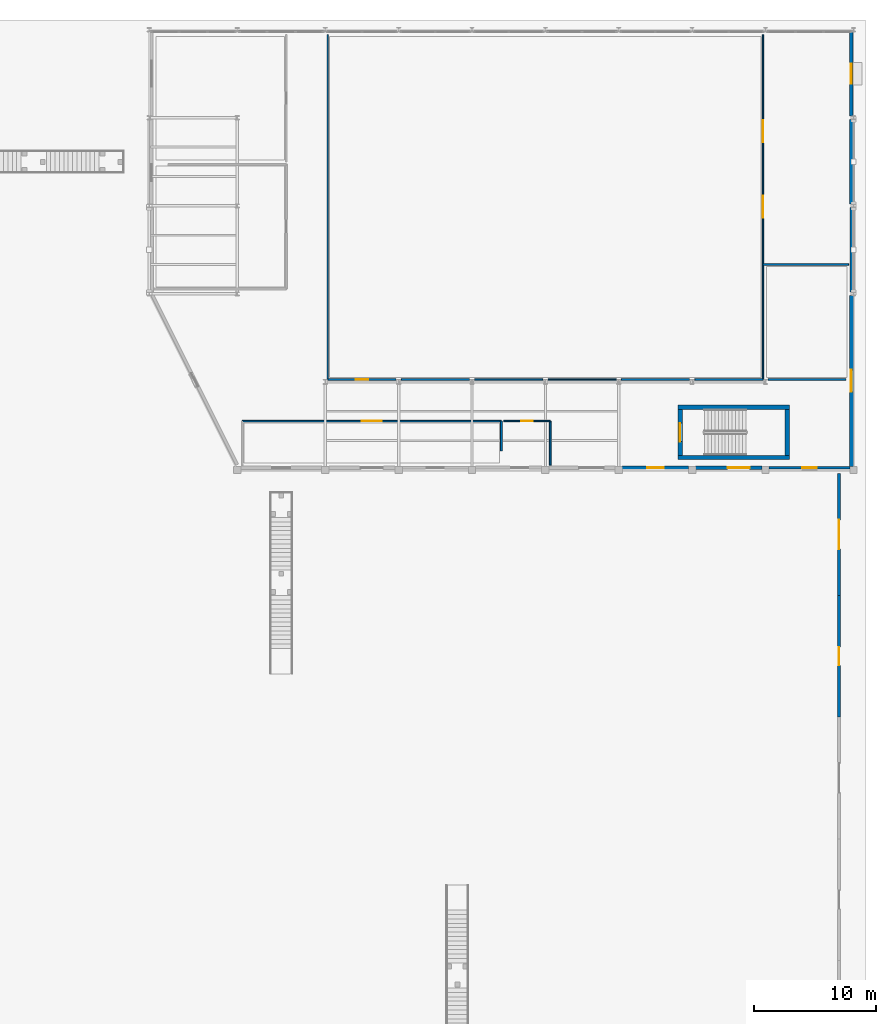
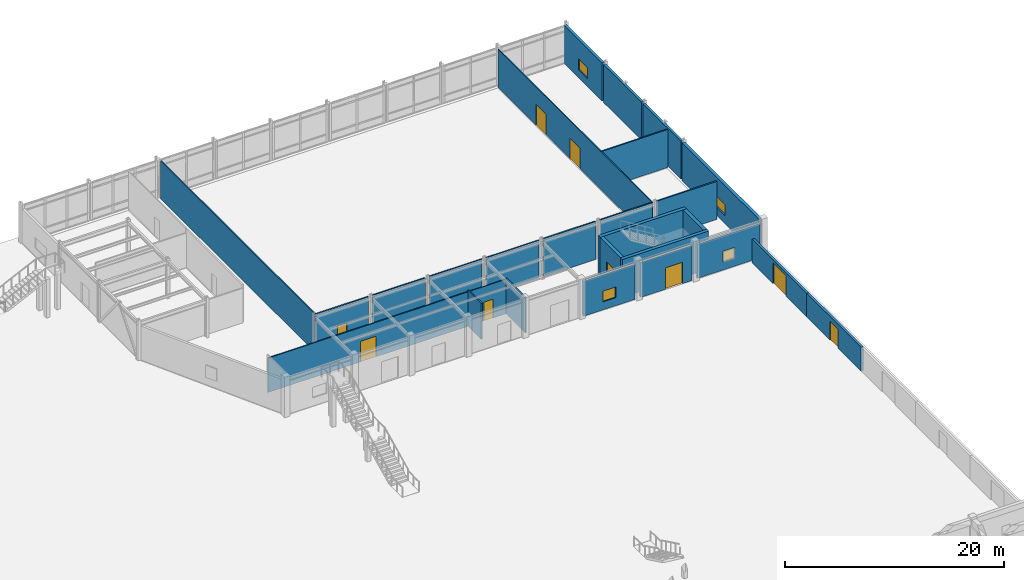
# One storey, part 38 of 58: 27 walls, 9 doors, 4 windows, 13 openings.
"""IFC4 building model written with IfcOpenShell, lengths in metres."""

import ifcopenshell
import ifcopenshell.guid

model = None  # the IFC model being written
_history = None  # IfcOwnerHistory: only IFC2X3 demands one
_inside = {}  # id of a spatial element -> (the spatial element, [elements in it])
_under = {}  # id of a project, library or spatial element -> (it, [spatial elements below it])
_declared = {}  # id of a project -> (the project, [libraries it declares])
_typed = {}  # id of a type object -> (the type object, [elements of that type])
_made_of = {}  # id of a material, layer set ... -> (it, [elements and type objects made of it])


def new_model(schema):
    """Start an empty IFC model of exactly this schema.

    Asked for "IFC4X3", IfcOpenShell would pick the latest addendum, in which some entities
    have other attributes; the version numbers below select the first issue.
    IFC2X3 requires an IfcOwnerHistory on every rooted entity: one is made here for all.
    """
    global model, _history
    if schema == "IFC4X3":
        model = ifcopenshell.file(schema_version=(4, 3, 0, 0))
    else:
        model = ifcopenshell.file(schema=schema)
    _inside.clear()
    _under.clear()
    _declared.clear()
    _typed.clear()
    _made_of.clear()
    _history = None
    if model.schema == "IFC2X3":
        org = make("IfcOrganization", Name="unknown")
        user = make(
            "IfcPersonAndOrganization",
            ThePerson=make("IfcPerson", FamilyName="unknown"),
            TheOrganization=org,
        )
        app = make(
            "IfcApplication",
            ApplicationDeveloper=org,
            Version="unknown",
            ApplicationFullName="unknown",
            ApplicationIdentifier="unknown",
        )
        _history = make(
            "IfcOwnerHistory",
            OwningUser=user,
            OwningApplication=app,
            ChangeAction="ADDED",
            CreationDate=0,
        )
    return model


def make(cls, **values):
    """One entity of the class cls with the attributes given. An attribute that is None is left unset."""
    return model.create_entity(
        cls, **{name: value for name, value in values.items() if value is not None}
    )


def rooted(cls, **values):
    """An entity with a GlobalId (a new one), such as an element, a storey or a relation."""
    return make(cls, GlobalId=ifcopenshell.guid.new(), OwnerHistory=_history, **values)


def si_unit(unit_type, name, prefix=None):
    """IfcSIUnit, for example si_unit("LENGTHUNIT", "METRE", prefix="MILLI")."""
    return make("IfcSIUnit", UnitType=unit_type, Prefix=prefix, Name=name)


def assignment(units):
    """IfcUnitAssignment: the units of a project."""
    return None if units is None else make("IfcUnitAssignment", Units=units)


def point(xyz):
    """IfcCartesianPoint."""
    return None if xyz is None else make("IfcCartesianPoint", Coordinates=xyz)


def direction(xyz):
    """IfcDirection."""
    return None if xyz is None else make("IfcDirection", DirectionRatios=xyz)


def frame(location, z_axis=None, x_axis=None):
    """IfcAxis2Placement3D, a coordinate frame: its origin and axes. An axis left out is left unset."""
    return make(
        "IfcAxis2Placement3D",
        Location=point(location),
        Axis=direction(z_axis),
        RefDirection=direction(x_axis),
    )


def frame_2d(location, x_axis=None):
    """IfcAxis2Placement2D, a coordinate frame in the plane: its origin and x axis."""
    return make(
        "IfcAxis2Placement2D", Location=point(location), RefDirection=direction(x_axis)
    )


def origin():
    """The frame at (0, 0, 0) with its axes left unset."""
    return frame((0.0, 0.0, 0.0))


def place(relative_to, where):
    """IfcLocalPlacement: puts the frame where relative to a parent placement (None: the world)."""
    return make(
        "IfcLocalPlacement", PlacementRelTo=relative_to, RelativePlacement=where
    )


def context(
    kind, dimensions, precision=None, world=None, true_north=None, identifier=None
):
    """IfcGeometricRepresentationContext, for example the 3D "Model" context."""
    return make(
        "IfcGeometricRepresentationContext",
        ContextIdentifier=identifier,
        ContextType=kind,
        CoordinateSpaceDimension=dimensions,
        Precision=precision,
        WorldCoordinateSystem=world,
        TrueNorth=true_north,
    )


def subcontext(parent, identifier, kind, view, scale=None):
    """IfcGeometricRepresentationSubContext, for example "Body" below "Model"."""
    return make(
        "IfcGeometricRepresentationSubContext",
        ContextIdentifier=identifier,
        ContextType=kind,
        ParentContext=parent,
        TargetScale=scale,
        TargetView=view,
    )


def project(units=None, contexts=None):
    """IfcProject with its units and contexts."""
    return rooted(
        "IfcProject",
        Name="project",
        RepresentationContexts=contexts,
        UnitsInContext=assignment(units),
    )


def spatial(cls, under=None, at=None, **own):
    """A site, building, storey or space (cls), placed at a placement, below another one or the project."""
    s = rooted(cls, ObjectPlacement=at, **own)
    if under is not None:
        _under.setdefault(under.id(), (under, []))[1].append(s)
    return s


def profile(cls, at=None, kind="AREA", **sizes):
    """A parametric profile (cls). Its sizes go by their IFC names, for example OverallWidth=200.0."""
    return make(cls, ProfileType=kind, Position=at, **sizes)


def rectangle(**sizes):
    """IfcRectangleProfileDef."""
    return profile("IfcRectangleProfileDef", **sizes)


def extrude(swept, where, along, depth):
    """IfcExtrudedAreaSolid: the profile swept, set in the frame where, extruded along a direction by depth."""
    return make(
        "IfcExtrudedAreaSolid",
        SweptArea=swept,
        Position=where,
        ExtrudedDirection=direction(along),
        Depth=depth,
    )


def shape(context_of_items, identifier, shape_type, items):
    """IfcShapeRepresentation: the items that make up one representation, for example the "Body"."""
    return make(
        "IfcShapeRepresentation",
        ContextOfItems=context_of_items,
        RepresentationIdentifier=identifier,
        RepresentationType=shape_type,
        Items=items,
    )


def material(Name=None, Category=None):
    """IfcMaterial."""
    return make("IfcMaterial", Name=Name, Category=Category)


def layer(
    of_material, thickness, ventilated=None, Name=None, Category=None, Priority=None
):
    """IfcMaterialLayer: one layer of a wall or slab, of a material (None: an air gap)."""
    return make(
        "IfcMaterialLayer",
        Material=of_material,
        LayerThickness=thickness,
        IsVentilated=ventilated,
        Name=Name,
        Category=Category,
        Priority=Priority,
    )


def layer_set(layers, Name=None):
    """IfcMaterialLayerSet."""
    return make("IfcMaterialLayerSet", MaterialLayers=layers, LayerSetName=Name)


def made_of(thing, what):
    """Note that an element or type object is made of a material, layer set ...; save() writes the relation."""
    if what is not None:
        _made_of.setdefault(what.id(), (what, []))[1].append(thing)
    return thing


def type_object(cls, material=None, **own):
    """A type object (cls), such as IfcWallType, which elements share."""
    return made_of(rooted(cls, **own), material)


def element(
    cls,
    number,
    at=None,
    inside=None,
    cuts=None,
    type_object=None,
    material=None,
    context=None,
    identifier="Body",
    shape_type=None,
    held_by="IfcProductDefinitionShape",
    body=None,
    shapes=None,
    **own,
):
    """One element of the class cls, such as IfcWall. Its Tag is "e" and its number.

    at: its placement. inside: the storey or other place that contains it. cuts: it is an
    opening in that element (IfcRelVoidsElement). A single representation is given by context,
    identifier, shape_type and body (its items); several are given by shapes. held_by: the class
    of the entity that holds the representations. save() writes the other relations.
    """
    e = rooted(cls, Tag="e%d" % number, ObjectPlacement=at, **own)
    if body is not None:
        shapes = [shape(context, identifier, shape_type, body)]
    if shapes is not None:
        e.Representation = make(held_by, Representations=shapes)
    if inside is not None:
        _inside.setdefault(inside.id(), (inside, []))[1].append(e)
    if cuts is not None:
        rooted(
            "IfcRelVoidsElement", RelatingBuildingElement=cuts, RelatedOpeningElement=e
        )
    if type_object is not None:
        _typed.setdefault(type_object.id(), (type_object, []))[1].append(e)
    return made_of(e, material)


def fill(opening, filler):
    """IfcRelFillsElement: the door or window that sits in an opening."""
    return rooted(
        "IfcRelFillsElement",
        RelatingOpeningElement=opening,
        RelatedBuildingElement=filler,
    )


def aggregate(whole, parts):
    """IfcRelAggregates: a whole, such as a stair, and the parts it consists of."""
    return rooted("IfcRelAggregates", RelatingObject=whole, RelatedObjects=parts)


def save(model, path):
    """Write the relations noted so far, then the file.

    IfcRelAggregates (storeys below a building ...), IfcRelContainedInSpatialStructure (elements
    in a storey), IfcRelDefinesByType, IfcRelAssociatesMaterial and IfcRelDeclares: one each for
    every whole, place, type object, material and project.
    """
    for whole, parts in _under.values():
        aggregate(whole, parts)
    for where, things in _inside.values():
        rooted(
            "IfcRelContainedInSpatialStructure",
            RelatedElements=things,
            RelatingStructure=where,
        )
    for kind, things in _typed.values():
        rooted("IfcRelDefinesByType", RelatedObjects=things, RelatingType=kind)
    for what, things in _made_of.values():
        rooted("IfcRelAssociatesMaterial", RelatedObjects=things, RelatingMaterial=what)
    for by, libraries in _declared.values():
        rooted("IfcRelDeclares", RelatingContext=by, RelatedDefinitions=libraries)
    model.write(path)


model = new_model("IFC4")

# Units and contexts
model_context = context("Model", 3, precision=1e-05, world=origin(), true_north=direction((0.0, 1.0)))
body_context = subcontext(model_context, "Body", "Model", "MODEL_VIEW")
ifc_project = project(units=[si_unit("LENGTHUNIT", "METRE"), si_unit("AREAUNIT", "SQUARE_METRE"), si_unit("VOLUMEUNIT", "CUBIC_METRE"), si_unit("PLANEANGLEUNIT", "RADIAN"), si_unit("MASSUNIT", "GRAM", prefix="KILO")], contexts=[model_context])

# Site, building, storey
site_placement = place(None, origin())
site = spatial("IfcSite", under=ifc_project, at=site_placement, CompositionType="ELEMENT")
building_placement = place(site_placement, origin())
building = spatial("IfcBuilding", under=site, at=building_placement, Name="Brisavento Harbour Community Centre", CompositionType="ELEMENT")
storey_placement = place(building_placement, origin())
storey = spatial("IfcBuildingStorey", under=building, at=storey_placement, Name="L00", CompositionType="ELEMENT", Elevation=0.0)

# Walls
ifc_material_1 = material(Name="Concrete C40/50", Category="concrete")
ifc_layer_1 = layer(ifc_material_1, 0.35009765625, Name="Concrete C40/50")
ifc_layer_set_1 = layer_set([ifc_layer_1], Name="Concrete C40/50")
wall_type_1 = type_object("IfcWallType", Name="WL-CORE-350", PredefinedType="SHEAR", material=ifc_layer_set_1)
for number, where, z_axis, x_axis, name in (
    (1, (158.449951171875, 80.22509765625, 0.0), (0.0, 0.0, 1.0), (1.0, 0.0, 0.0), "L00 core C4 shear wall L"),
    (2, (167.550048828125, 84.324951171875, 0.0), (0.0, 0.0, 1.0), (-1.0, 0.0, 0.0), "L00 core C4 shear wall R"),
):
    element("IfcWall", number, at=place(storey_placement, frame(where, z_axis=z_axis, x_axis=x_axis)), inside=storey, type_object=wall_type_1, Name=name, PredefinedType="SHEAR", context=body_context, shape_type="SweptSolid", body=[
        extrude(rectangle(XDim=9.10009765625, YDim=0.35009765625, at=frame_2d((4.550048828125, 0.0))), origin(), (0.0, 0.0, 1.0), 4.239990234375),
    ])
wall_1_placement = place(storey_placement, frame((167.375, 80.39990234375, 0.0), z_axis=(0.0, 0.0, 1.0), x_axis=(0.0, 1.0, 0.0)))
element("IfcWall", 3, at=wall_1_placement, inside=storey, type_object=wall_type_1, Name="L00 core C4 shear wall F", PredefinedType="SHEAR", context=body_context, shape_type="SweptSolid", body=[
    extrude(rectangle(XDim=3.75, YDim=0.35009765625, at=frame_2d((1.875, 0.0))), origin(), (0.0, 0.0, 1.0), 4.239990234375),
])

# Wall, opening, door
wall_2_placement = place(storey_placement, frame((158.625, 80.39990234375, 0.0), z_axis=(0.0, 0.0, 1.0), x_axis=(0.0, 1.0, 0.0)))
wall_2 = element("IfcWall", 4, at=wall_2_placement, inside=storey, type_object=wall_type_1, Name="L00 core C4 shear wall N", PredefinedType="SHEAR", context=body_context, shape_type="SweptSolid", body=[
    extrude(rectangle(XDim=3.75, YDim=0.35009765625, at=frame_2d((1.875, 0.0))), origin(), (0.0, 0.0, 1.0), 4.239990234375),
])
opening_1_placement = place(wall_2_placement, frame((1.125, 0.0, 0.0)))
opening_1 = element("IfcOpeningElement", 5, at=opening_1_placement, cuts=wall_2, Name="Opening SD-01", PredefinedType="OPENING", context=body_context, shape_type="SweptSolid", body=[
    extrude(rectangle(XDim=1.5, YDim=2.199951171875, at=frame_2d((0.75, 1.10009765625))), frame((0.0, 0.18505859375, 0.0), z_axis=(0.0, -1.0, 0.0), x_axis=(1.0, 0.0, 0.0)), (0.0, 0.0, 1.0), 0.3701171875),
])
ifc_material_2 = material(Name="Fire-rated steel door assembly", Category="steel")
door_type_1 = type_object("IfcDoorType", Name="DR-STAIR-150x220", OperationType="NOTDEFINED", PredefinedType="DOOR", material=ifc_material_2)
door_1_placement = place(opening_1_placement, origin())
door_1 = element("IfcDoor", 6, at=door_1_placement, inside=storey, type_object=door_type_1, Name="L00 exit stair ST-06 fire door", OperationType="SINGLE_SWING_RIGHT", OverallHeight=2.199951171875, OverallWidth=1.5, PredefinedType="DOOR", context=body_context, shape_type="SweptSolid", body=[
    extrude(rectangle(XDim=1.5, YDim=2.199951171875, at=frame_2d((0.75, 1.10009765625))), frame((0.0, 0.02490234375, 0.0), z_axis=(0.0, -1.0, 0.0), x_axis=(1.0, 0.0, 0.0)), (0.0, 0.0, 1.0), 0.050048828125),
])
fill(opening_1, door_1)

# Wall, opening, window
ifc_material_3 = material(Name="Terracotta masonry unit", Category="masonry")
ifc_layer_2 = layer(ifc_material_3, 0.239990234375, Name="Terracotta masonry unit")
ifc_layer_set_2 = layer_set([ifc_layer_2], Name="Terracotta masonry unit")
wall_type_2 = type_object("IfcWallType", Name="WL-EXT-240", PredefinedType="SOLIDWALL", material=ifc_layer_set_2)
wall_3_placement = place(storey_placement, frame((172.514892578125, 79.3798828125, 0.0), z_axis=(0.0, 0.0, 1.0), x_axis=(-1.0, 0.0, 0.0)))
wall_3 = element("IfcWall", 7, at=wall_3_placement, inside=storey, type_object=wall_type_2, Name="L00 V4 exterior wall 0143", PredefinedType="SOLIDWALL", context=body_context, shape_type="SweptSolid", body=[
    extrude(rectangle(XDim=6.6298828125, YDim=0.239990234375, at=frame_2d((3.31494140625, 0.0))), origin(), (0.0, 0.0, 1.0), 3.7900390625),
])
opening_2_placement = place(wall_3_placement, frame((2.715087890625, 0.0, 0.89990234375)))
opening_2 = element("IfcOpeningElement", 8, at=opening_2_placement, cuts=wall_3, Name="Opening W-03", PredefinedType="OPENING", context=body_context, shape_type="SweptSolid", body=[
    extrude(rectangle(XDim=1.199951171875, YDim=1.199951171875, at=frame_2d((0.60009765625, 0.60009765625))), frame((0.0, 0.1298828125, 0.0), z_axis=(0.0, -1.0, 0.0), x_axis=(1.0, 0.0, 0.0)), (0.0, 0.0, 1.0), 0.260009765625),
])
ifc_material_4 = material(Name="Solar-control laminated low-E glass", Category="glass")
window_type_1 = type_object("IfcWindowType", Name="WIN-CAS-03", PartitioningType="SINGLE_PANEL", PredefinedType="WINDOW", material=ifc_material_4)
window_1_placement = place(opening_2_placement, origin())
window_1 = element("IfcWindow", 9, at=window_1_placement, inside=storey, type_object=window_type_1, Name="L00 V4 impact casement window 0039", OverallHeight=1.199951171875, OverallWidth=1.199951171875, PartitioningType="SINGLE_PANEL", PredefinedType="WINDOW", context=body_context, shape_type="SweptSolid", body=[
    extrude(rectangle(XDim=1.199951171875, YDim=1.199951171875, at=frame_2d((0.60009765625, 0.60009765625))), frame((0.0, 0.030029296875, 0.0), z_axis=(0.0, -1.0, 0.0), x_axis=(1.0, 0.0, 0.0)), (0.0, 0.0, 1.0), 0.06005859375),
])
fill(opening_2, window_1)

# Wall
wall_4_placement = place(storey_placement, frame((172.6201171875, 100.6650390625, 0.0), z_axis=(0.0, 0.0, 1.0), x_axis=(0.0, -1.0, 0.0)))
element("IfcWall", 10, at=wall_4_placement, inside=storey, type_object=wall_type_2, Name="L00 V4 exterior wall 0153", PredefinedType="SOLIDWALL", context=body_context, shape_type="SweptSolid", body=[
    extrude(rectangle(XDim=6.929931640625, YDim=0.239990234375, at=frame_2d((3.46484375, 0.0))), origin(), (0.0, 0.0, 1.0), 4.239990234375),
])

# Wall, opening, door
wall_5_placement = place(storey_placement, frame((171.60009765625, 58.97998046875, 0.0), z_axis=(0.0, 0.0, 1.0), x_axis=(0.0, 1.0, 0.0)))
wall_5 = element("IfcWall", 11, at=wall_5_placement, inside=storey, type_object=wall_type_2, Name="L00 courtyard screen wall 09", PredefinedType="SOLIDWALL", context=body_context, shape_type="SweptSolid", body=[
    extrude(rectangle(XDim=9.9599609375, YDim=0.239990234375, at=frame_2d((4.97998046875, 0.0))), origin(), (0.0, 0.0, 1.0), 2.64990234375),
])
opening_3_placement = place(wall_5_placement, frame((4.22998046875, 0.0, 0.0)))
opening_3 = element("IfcOpeningElement", 12, at=opening_3_placement, cuts=wall_5, Name="Opening NG-01", PredefinedType="OPENING", context=body_context, shape_type="SweptSolid", body=[
    extrude(rectangle(XDim=1.5, YDim=2.10009765625, at=frame_2d((0.75, 1.050048828125))), frame((0.0, 0.1298828125, 0.0), z_axis=(0.0, -1.0, 0.0), x_axis=(1.0, 0.0, 0.0)), (0.0, 0.0, 1.0), 0.260009765625),
])
ifc_material_5 = material(Name="Marine-anodised aluminium AW-6063-T6", Category="aluminium")
door_type_2 = type_object("IfcDoorType", Name="GT-NRS-150x210", OperationType="NOTDEFINED", PredefinedType="GATE", material=ifc_material_5)
door_2_placement = place(opening_3_placement, origin())
door_2 = element("IfcDoor", 13, at=door_2_placement, inside=storey, type_object=door_type_2, Name="L00 courtyard entrance gate 09", OperationType="SINGLE_SWING_RIGHT", OverallHeight=2.10009765625, OverallWidth=1.5, PredefinedType="GATE", context=body_context, shape_type="SweptSolid", body=[
    extrude(rectangle(XDim=1.5, YDim=2.10009765625, at=frame_2d((0.75, 1.050048828125))), frame((0.0, 0.02490234375, 0.0), z_axis=(0.0, -1.0, 0.0), x_axis=(1.0, 0.0, 0.0)), (0.0, 0.0, 1.0), 0.050048828125),
])
fill(opening_3, door_2)

wall_6_placement = place(storey_placement, frame((171.60009765625, 68.93994140625, 0.0), z_axis=(0.0, 0.0, 1.0), x_axis=(0.0, 1.0, 0.0)))
wall_6 = element("IfcWall", 14, at=wall_6_placement, inside=storey, type_object=wall_type_2, Name="L00 courtyard screen wall 10", PredefinedType="SOLIDWALL", context=body_context, shape_type="SweptSolid", body=[
    extrude(rectangle(XDim=9.9599609375, YDim=0.239990234375, at=frame_2d((4.97998046875, 0.0))), origin(), (0.0, 0.0, 1.0), 2.64990234375),
])
opening_4_placement = place(wall_6_placement, frame((3.780029296875, 0.0, 0.0)))
opening_4 = element("IfcOpeningElement", 15, at=opening_4_placement, cuts=wall_6, Name="Opening CG-01", PredefinedType="OPENING", context=body_context, shape_type="SweptSolid", body=[
    extrude(rectangle(XDim=2.39990234375, YDim=2.300048828125, at=frame_2d((1.199951171875, 1.14990234375))), frame((0.0, 0.1298828125, 0.0), z_axis=(0.0, -1.0, 0.0), x_axis=(1.0, 0.0, 0.0)), (0.0, 0.0, 1.0), 0.260009765625),
])
door_type_3 = type_object("IfcDoorType", Name="GT-CRT-240x230", OperationType="NOTDEFINED", PredefinedType="GATE", material=ifc_material_5)
door_3_placement = place(opening_4_placement, origin())
door_3 = element("IfcDoor", 16, at=door_3_placement, inside=storey, type_object=door_type_3, Name="L00 courtyard entrance gate 10", OperationType="SINGLE_SWING_LEFT", OverallHeight=2.300048828125, OverallWidth=2.39990234375, PredefinedType="GATE", context=body_context, shape_type="SweptSolid", body=[
    extrude(rectangle(XDim=2.39990234375, YDim=2.300048828125, at=frame_2d((1.199951171875, 1.14990234375))), frame((0.0, 0.02490234375, 0.0), z_axis=(0.0, -1.0, 0.0), x_axis=(1.0, 0.0, 0.0)), (0.0, 0.0, 1.0), 0.050048828125),
])
fill(opening_4, door_3)

# Wall
ifc_layer_3 = layer(ifc_material_3, 0.260009765625, Name="Terracotta masonry unit")
ifc_layer_set_3 = layer_set([ifc_layer_3], Name="Terracotta masonry unit")
wall_type_3 = type_object("IfcWallType", Name="WL-EXT-260", PredefinedType="SOLIDWALL", material=ifc_layer_set_3)
wall_7_placement = place(storey_placement, frame((172.6201171875, 107.864990234375, 0.0), z_axis=(0.0, 0.0, 1.0), x_axis=(0.0, -1.0, 0.0)))
element("IfcWall", 17, at=wall_7_placement, inside=storey, type_object=wall_type_3, Name="L00 V4 exterior wall 0152", PredefinedType="SOLIDWALL", context=body_context, shape_type="SweptSolid", body=[
    extrude(rectangle(XDim=6.929931640625, YDim=0.260009765625, at=frame_2d((3.46484375, 0.0))), origin(), (0.0, 0.0, 1.0), 4.239990234375),
])

# Wall, opening, window
ifc_material_6 = material(Name="Precast concrete C40/50", Category="concrete")
ifc_layer_4 = layer(ifc_material_6, 0.280029296875, Name="Precast concrete C40/50")
ifc_layer_set_4 = layer_set([ifc_layer_4], Name="Precast concrete C40/50")
wall_type_4 = type_object("IfcWallType", Name="WL-EXT-280", PredefinedType="SOLIDWALL", material=ifc_layer_set_4)
wall_8_placement = place(storey_placement, frame((172.6201171875, 115.06494140625, 0.0), z_axis=(0.0, 0.0, 1.0), x_axis=(0.0, -1.0, 0.0)))
wall_8 = element("IfcWall", 18, at=wall_8_placement, inside=storey, type_object=wall_type_4, Name="L00 V4 exterior wall 0151", PredefinedType="SOLIDWALL", context=body_context, shape_type="SweptSolid", body=[
    extrude(rectangle(XDim=6.929931640625, YDim=0.280029296875, at=frame_2d((3.46484375, 0.0))), origin(), (0.0, 0.0, 1.0), 4.239990234375),
])
opening_5_placement = place(wall_8_placement, frame((2.639892578125, 0.0, 0.89990234375)))
opening_5 = element("IfcOpeningElement", 19, at=opening_5_placement, cuts=wall_8, Name="Opening W-06", PredefinedType="OPENING", context=body_context, shape_type="SweptSolid", body=[
    extrude(rectangle(XDim=1.64990234375, YDim=1.199951171875, at=frame_2d((0.824951171875, 0.60009765625))), frame((0.0, 0.14990234375, 0.0), z_axis=(0.0, -1.0, 0.0), x_axis=(1.0, 0.0, 0.0)), (0.0, 0.0, 1.0), 0.300048828125),
])
window_type_2 = type_object("IfcWindowType", Name="WIN-CAS-06", PartitioningType="SINGLE_PANEL", PredefinedType="WINDOW", material=ifc_material_4)
window_2_placement = place(opening_5_placement, origin())
window_2 = element("IfcWindow", 20, at=window_2_placement, inside=storey, type_object=window_type_2, Name="L00 V4 impact casement window 0042", OverallHeight=1.199951171875, OverallWidth=1.64990234375, PartitioningType="SINGLE_PANEL", PredefinedType="WINDOW", context=body_context, shape_type="SweptSolid", body=[
    extrude(rectangle(XDim=1.64990234375, YDim=1.199951171875, at=frame_2d((0.824951171875, 0.60009765625))), frame((0.0, 0.030029296875, 0.0), z_axis=(0.0, -1.0, 0.0), x_axis=(1.0, 0.0, 0.0)), (0.0, 0.0, 1.0), 0.06005859375),
])
fill(opening_5, window_2)

ifc_material_7 = material(Name="Concrete C35/45", Category="concrete")
ifc_layer_5 = layer(ifc_material_7, 0.300048828125, Name="Concrete C35/45")
ifc_layer_set_5 = layer_set([ifc_layer_5], Name="Concrete C35/45")
wall_type_5 = type_object("IfcWallType", Name="WL-EXT-300", PredefinedType="SOLIDWALL", material=ifc_layer_set_5)
wall_9_placement = place(storey_placement, frame((159.31494140625, 79.3798828125, 0.0), z_axis=(0.0, 0.0, 1.0), x_axis=(-1.0, 0.0, 0.0)))
wall_9 = element("IfcWall", 21, at=wall_9_placement, inside=storey, type_object=wall_type_5, Name="L00 V4 exterior wall 0145", PredefinedType="SOLIDWALL", context=body_context, shape_type="SweptSolid", body=[
    extrude(rectangle(XDim=5.429931640625, YDim=0.300048828125, at=frame_2d((2.71484375, 0.0))), origin(), (0.0, 0.0, 1.0), 3.8798828125),
])
opening_6_placement = place(wall_9_placement, frame((2.0400390625, 0.0, 0.89990234375)))
opening_6 = element("IfcOpeningElement", 22, at=opening_6_placement, cuts=wall_9, Name="Opening W-04", PredefinedType="OPENING", context=body_context, shape_type="SweptSolid", body=[
    extrude(rectangle(XDim=1.35009765625, YDim=1.199951171875, at=frame_2d((0.675048828125, 0.60009765625))), frame((0.0, 0.16015625, 0.0), z_axis=(0.0, -1.0, 0.0), x_axis=(1.0, 0.0, 0.0)), (0.0, 0.0, 1.0), 0.320068359375),
])
window_type_3 = type_object("IfcWindowType", Name="WIN-CAS-04", PartitioningType="SINGLE_PANEL", PredefinedType="WINDOW", material=ifc_material_4)
window_3_placement = place(opening_6_placement, origin())
window_3 = element("IfcWindow", 23, at=window_3_placement, inside=storey, type_object=window_type_3, Name="L00 V4 impact casement window 0040", OverallHeight=1.199951171875, OverallWidth=1.35009765625, PartitioningType="SINGLE_PANEL", PredefinedType="WINDOW", context=body_context, shape_type="SweptSolid", body=[
    extrude(rectangle(XDim=1.35009765625, YDim=1.199951171875, at=frame_2d((0.675048828125, 0.60009765625))), frame((0.0, 0.030029296875, 0.0), z_axis=(0.0, -1.0, 0.0), x_axis=(1.0, 0.0, 0.0)), (0.0, 0.0, 1.0), 0.06005859375),
])
fill(opening_6, window_3)

# Wall, opening, door
ifc_layer_6 = layer(ifc_material_7, 0.320068359375, Name="Concrete C35/45")
ifc_layer_set_6 = layer_set([ifc_layer_6], Name="Concrete C35/45")
wall_type_6 = type_object("IfcWallType", Name="WL-EXT-320", PredefinedType="SOLIDWALL", material=ifc_layer_set_6)
wall_10_placement = place(storey_placement, frame((165.31494140625, 79.3798828125, 0.0), z_axis=(0.0, 0.0, 1.0), x_axis=(-1.0, 0.0, 0.0)))
wall_10 = element("IfcWall", 24, at=wall_10_placement, inside=storey, type_object=wall_type_6, Name="L00 V4 exterior wall 0144", PredefinedType="SOLIDWALL", context=body_context, shape_type="SweptSolid", body=[
    extrude(rectangle(XDim=5.429931640625, YDim=0.320068359375, at=frame_2d((2.71484375, 0.0))), origin(), (0.0, 0.0, 1.0), 3.8798828125),
])
opening_7_placement = place(wall_10_placement, frame((1.007568359375, 0.0, 0.0)))
opening_7 = element("IfcOpeningElement", 25, at=opening_7_placement, cuts=wall_10, Name="Opening ED-01", PredefinedType="OPENING", context=body_context, shape_type="SweptSolid", body=[
    extrude(rectangle(XDim=1.800048828125, YDim=2.39990234375, at=frame_2d((0.89990234375, 1.199951171875))), frame((0.0, 0.169921875, 0.0), z_axis=(0.0, -1.0, 0.0), x_axis=(1.0, 0.0, 0.0)), (0.0, 0.0, 1.0), 0.340087890625),
])
door_type_4 = type_object("IfcDoorType", Name="DR-EXT-180x240", OperationType="NOTDEFINED", PredefinedType="DOOR", material=ifc_material_5)
door_4_placement = place(opening_7_placement, origin())
door_4 = element("IfcDoor", 26, at=door_4_placement, inside=storey, type_object=door_type_4, Name="L00 V4 exterior exit door 016", OperationType="SINGLE_SWING_RIGHT", OverallHeight=2.39990234375, OverallWidth=1.800048828125, PredefinedType="DOOR", context=body_context, shape_type="SweptSolid", body=[
    extrude(rectangle(XDim=1.800048828125, YDim=2.39990234375, at=frame_2d((0.89990234375, 1.199951171875))), frame((0.0, 0.02490234375, 0.0), z_axis=(0.0, -1.0, 0.0), x_axis=(1.0, 0.0, 0.0)), (0.0, 0.0, 1.0), 0.050048828125),
])
fill(opening_7, door_4)

# Wall, opening, window
wall_11_placement = place(storey_placement, frame((172.6201171875, 93.465087890625, 0.0), z_axis=(0.0, 0.0, 1.0), x_axis=(0.0, -1.0, 0.0)))
wall_11 = element("IfcWall", 27, at=wall_11_placement, inside=storey, type_object=wall_type_6, Name="L00 V4 exterior wall 0154", PredefinedType="SOLIDWALL", context=body_context, shape_type="SweptSolid", body=[
    extrude(rectangle(XDim=13.97998046875, YDim=0.320068359375, at=frame_2d((6.989990234375, 0.0))), origin(), (0.0, 0.0, 1.0), 4.239990234375),
])
opening_8_placement = place(wall_11_placement, frame((6.090087890625, 0.0, 0.89990234375)))
opening_8 = element("IfcOpeningElement", 28, at=opening_8_placement, cuts=wall_11, Name="Opening W-07", PredefinedType="OPENING", context=body_context, shape_type="SweptSolid", body=[
    extrude(rectangle(XDim=1.800048828125, YDim=1.199951171875, at=frame_2d((0.89990234375, 0.60009765625))), frame((0.0, 0.169921875, 0.0), z_axis=(0.0, -1.0, 0.0), x_axis=(1.0, 0.0, 0.0)), (0.0, 0.0, 1.0), 0.340087890625),
])
window_type_4 = type_object("IfcWindowType", Name="WIN-CAS-07", PartitioningType="SINGLE_PANEL", PredefinedType="WINDOW", material=ifc_material_4)
window_4_placement = place(opening_8_placement, origin())
window_4 = element("IfcWindow", 29, at=window_4_placement, inside=storey, type_object=window_type_4, Name="L00 V4 impact casement window 0043", OverallHeight=1.199951171875, OverallWidth=1.800048828125, PartitioningType="SINGLE_PANEL", PredefinedType="WINDOW", context=body_context, shape_type="SweptSolid", body=[
    extrude(rectangle(XDim=1.800048828125, YDim=1.199951171875, at=frame_2d((0.89990234375, 0.60009765625))), frame((0.0, 0.030029296875, 0.0), z_axis=(0.0, -1.0, 0.0), x_axis=(1.0, 0.0, 0.0)), (0.0, 0.0, 1.0), 0.06005859375),
])
fill(opening_8, window_4)

# Wall
ifc_material_8 = material(Name="Lightweight stud partition", Category="other")
ifc_layer_7 = layer(ifc_material_8, 0.10009765625, Name="Lightweight stud partition")
ifc_layer_set_7 = layer_set([ifc_layer_7], Name="Lightweight stud partition")
wall_type_7 = type_object("IfcWallType", Name="WL-PRT-100", PredefinedType="PARTITIONING", material=ifc_layer_set_7)
wall_12_placement = place(storey_placement, frame((147.820068359375, 86.60009765625, 0.0), z_axis=(0.0, 0.0, 1.0), x_axis=(1.0, 0.0, 0.0)))
element("IfcWall", 30, at=wall_12_placement, inside=storey, type_object=wall_type_7, Name="L00 Multi-Purpose Sports Hall partition 0091", PredefinedType="PARTITIONING", context=body_context, shape_type="SweptSolid", body=[
    extrude(rectangle(XDim=5.559814453125, YDim=0.10009765625, at=frame_2d((2.77978515625, 0.0))), origin(), (0.0, 0.0, 1.0), 4.239990234375),
])

# Wall, openings, doors
wall_13_placement = place(storey_placement, frame((165.39990234375, 86.6201171875, 0.0), z_axis=(0.0, 0.0, 1.0), x_axis=(0.0, 1.0, 0.0)))
wall_13 = element("IfcWall", 31, at=wall_13_placement, inside=storey, type_object=wall_type_7, Name="L00 Multi-Purpose Sports Hall partition 0095", PredefinedType="PARTITIONING", context=body_context, shape_type="SweptSolid", body=[
    extrude(rectangle(XDim=28.179931640625, YDim=0.10009765625, at=frame_2d((14.08984375, 0.0))), origin(), (0.0, 0.0, 1.0), 4.239990234375),
])
opening_9_placement = place(wall_13_placement, frame((13.18994140625, 0.0, 0.0)))
opening_9 = element("IfcOpeningElement", 32, at=opening_9_placement, cuts=wall_13, Name="Opening ID-01", PredefinedType="OPENING", context=body_context, shape_type="SweptSolid", body=[
    extrude(rectangle(XDim=1.800048828125, YDim=2.300048828125, at=frame_2d((0.89990234375, 1.14990234375))), frame((0.0, 0.06005859375, 0.0), z_axis=(0.0, -1.0, 0.0), x_axis=(1.0, 0.0, 0.0)), (0.0, 0.0, 1.0), 0.1201171875),
])
opening_10_placement = place(wall_13_placement, frame((19.3896484375, 0.0, 0.0)))
opening_10 = element("IfcOpeningElement", 33, at=opening_10_placement, cuts=wall_13, Name="Opening ID-01", PredefinedType="OPENING", context=body_context, shape_type="SweptSolid", body=[
    extrude(rectangle(XDim=1.800048828125, YDim=2.300048828125, at=frame_2d((0.89990234375, 1.14990234375))), frame((0.0, 0.06005859375, 0.0), z_axis=(0.0, -1.0, 0.0), x_axis=(1.0, 0.0, 0.0)), (0.0, 0.0, 1.0), 0.1201171875),
])
ifc_material_9 = material(Name="Solid-core tropical timber door", Category="wood")
door_type_5 = type_object("IfcDoorType", Name="DR-INT-180x230", OperationType="NOTDEFINED", PredefinedType="DOOR", material=ifc_material_9)
door_5_placement = place(opening_9_placement, origin())
door_5 = element("IfcDoor", 34, at=door_5_placement, inside=storey, type_object=door_type_5, Name="L00 First Aid and Referee Room door 0034", OperationType="SINGLE_SWING_LEFT", OverallHeight=2.300048828125, OverallWidth=1.800048828125, PredefinedType="DOOR", context=body_context, shape_type="SweptSolid", body=[
    extrude(rectangle(XDim=1.800048828125, YDim=2.300048828125, at=frame_2d((0.89990234375, 1.14990234375))), frame((0.0, 0.02490234375, 0.0), z_axis=(0.0, -1.0, 0.0), x_axis=(1.0, 0.0, 0.0)), (0.0, 0.0, 1.0), 0.050048828125),
])
fill(opening_9, door_5)
door_6_placement = place(opening_10_placement, origin())
door_6 = element("IfcDoor", 35, at=door_6_placement, inside=storey, type_object=door_type_5, Name="L00 Sports Equipment Store L00 door 0045", OperationType="SINGLE_SWING_RIGHT", OverallHeight=2.300048828125, OverallWidth=1.800048828125, PredefinedType="DOOR", context=body_context, shape_type="SweptSolid", body=[
    extrude(rectangle(XDim=1.800048828125, YDim=2.300048828125, at=frame_2d((0.89990234375, 1.14990234375))), frame((0.0, 0.02490234375, 0.0), z_axis=(0.0, -1.0, 0.0), x_axis=(1.0, 0.0, 0.0)), (0.0, 0.0, 1.0), 0.050048828125),
])
fill(opening_10, door_6)

# Wall, opening, door
wall_14_placement = place(storey_placement, frame((148.0, 83.199951171875, 0.0), z_axis=(0.0, 0.0, 1.0), x_axis=(-1.0, 0.0, 0.0)))
wall_14 = element("IfcWall", 36, at=wall_14_placement, inside=storey, type_object=wall_type_7, Name="L00 Sports Accessible WC L00 partition 0123", PredefinedType="PARTITIONING", context=body_context, shape_type="SweptSolid", body=[
    extrude(rectangle(XDim=3.800048828125, YDim=0.10009765625, at=frame_2d((1.89990234375, 0.0))), origin(), (0.0, 0.0, 1.0), 3.840087890625),
])
opening_11_placement = place(wall_14_placement, frame((1.43994140625, 0.0, 0.0)))
opening_11 = element("IfcOpeningElement", 37, at=opening_11_placement, cuts=wall_14, Name="Opening WD-01", PredefinedType="OPENING", context=body_context, shape_type="SweptSolid", body=[
    extrude(rectangle(XDim=0.919921875, YDim=2.10009765625, at=frame_2d((0.4599609375, 1.050048828125))), frame((0.0, 0.06005859375, 0.0), z_axis=(0.0, -1.0, 0.0), x_axis=(1.0, 0.0, 0.0)), (0.0, 0.0, 1.0), 0.1201171875),
])
ifc_material_10 = material(Name="Moisture-resistant laminate door", Category="other")
door_type_6 = type_object("IfcDoorType", Name="DR-WC-092x210", OperationType="NOTDEFINED", PredefinedType="DOOR", material=ifc_material_10)
door_7_placement = place(opening_11_placement, origin())
door_7 = element("IfcDoor", 38, at=door_7_placement, inside=storey, type_object=door_type_6, Name="L00 Sports Accessible WC L00 door 0043", OperationType="SINGLE_SWING_RIGHT", OverallHeight=2.10009765625, OverallWidth=0.919921875, PredefinedType="DOOR", context=body_context, shape_type="SweptSolid", body=[
    extrude(rectangle(XDim=0.919921875, YDim=2.10009765625, at=frame_2d((0.4599609375, 1.050048828125))), frame((0.0, 0.02490234375, 0.0), z_axis=(0.0, -1.0, 0.0), x_axis=(1.0, 0.0, 0.0)), (0.0, 0.0, 1.0), 0.050048828125),
])
fill(opening_11, door_7)

# Walls
ifc_material_11 = material(Name="Gypsum metal-stud partition", Category="other")
ifc_layer_8 = layer(ifc_material_11, 0.1201171875, Name="Gypsum metal-stud partition")
ifc_layer_set_8 = layer_set([ifc_layer_8], Name="Gypsum metal-stud partition")
wall_type_8 = type_object("IfcWallType", Name="WL-PRT-120", PredefinedType="PARTITIONING", material=ifc_layer_set_8)
wall_15_placement = place(storey_placement, frame((141.820068359375, 86.60009765625, 0.0), z_axis=(0.0, 0.0, 1.0), x_axis=(1.0, 0.0, 0.0)))
element("IfcWall", 39, at=wall_15_placement, inside=storey, type_object=wall_type_8, Name="L00 Multi-Purpose Sports Hall partition 0090", PredefinedType="PARTITIONING", context=body_context, shape_type="SweptSolid", body=[
    extrude(rectangle(XDim=5.559814453125, YDim=0.1201171875, at=frame_2d((2.77978515625, 0.0))), origin(), (0.0, 0.0, 1.0), 4.239990234375),
])
wall_16_placement = place(storey_placement, frame((129.800048828125, 114.800048828125, 0.0), z_axis=(0.0, 0.0, 1.0), x_axis=(0.0, -1.0, 0.0)))
element("IfcWall", 40, at=wall_16_placement, inside=storey, type_object=wall_type_8, Name="L00 Multi-Purpose Sports Hall partition 0094", PredefinedType="PARTITIONING", context=body_context, shape_type="SweptSolid", body=[
    extrude(rectangle(XDim=28.179931640625, YDim=0.1201171875, at=frame_2d((14.08984375, 0.0))), origin(), (0.0, 0.0, 1.0), 4.239990234375),
])

# Wall, opening, door
wall_17_placement = place(storey_placement, frame((144.0, 83.199951171875, 0.0), z_axis=(0.0, 0.0, 1.0), x_axis=(-1.0, 0.0, 0.0)))
wall_17 = element("IfcWall", 41, at=wall_17_placement, inside=storey, type_object=wall_type_8, Name="L00 Sports Reception Foyer partition 0102", PredefinedType="PARTITIONING", context=body_context, shape_type="SweptSolid", body=[
    extrude(rectangle(XDim=21.199951171875, YDim=0.1201171875, at=frame_2d((10.60009765625, 0.0))), origin(), (0.0, 0.0, 1.0), 3.840087890625),
])
opening_12_placement = place(wall_17_placement, frame((9.77490234375, 0.0, 0.0)))
opening_12 = element("IfcOpeningElement", 42, at=opening_12_placement, cuts=wall_17, Name="Opening ID-02", PredefinedType="OPENING", context=body_context, shape_type="SweptSolid", body=[
    extrude(rectangle(XDim=1.64990234375, YDim=2.300048828125, at=frame_2d((0.824951171875, 1.14990234375))), frame((0.0, 0.070068359375, 0.0), z_axis=(0.0, -1.0, 0.0), x_axis=(1.0, 0.0, 0.0)), (0.0, 0.0, 1.0), 0.14013671875),
])
door_type_7 = type_object("IfcDoorType", Name="DR-INT-165x230", OperationType="NOTDEFINED", PredefinedType="DOOR", material=ifc_material_9)
door_8_placement = place(opening_12_placement, origin())
door_8 = element("IfcDoor", 43, at=door_8_placement, inside=storey, type_object=door_type_7, Name="L00 Sports Reception Foyer door 0035", OperationType="SINGLE_SWING_RIGHT", OverallHeight=2.300048828125, OverallWidth=1.64990234375, PredefinedType="DOOR", context=body_context, shape_type="SweptSolid", body=[
    extrude(rectangle(XDim=1.64990234375, YDim=2.300048828125, at=frame_2d((0.824951171875, 1.14990234375))), frame((0.0, 0.02490234375, 0.0), z_axis=(0.0, -1.0, 0.0), x_axis=(1.0, 0.0, 0.0)), (0.0, 0.0, 1.0), 0.050048828125),
])
fill(opening_12, door_8)

# Walls
ifc_layer_9 = layer(ifc_material_11, 0.139892578125, Name="Gypsum metal-stud partition")
ifc_layer_set_9 = layer_set([ifc_layer_9], Name="Gypsum metal-stud partition")
wall_type_9 = type_object("IfcWallType", Name="WL-PRT-140", PredefinedType="PARTITIONING", material=ifc_layer_set_9)
for number, where, z_axis, x_axis, name in (
    (44, (135.820068359375, 86.60009765625, 0.0), (0.0, 0.0, 1.0), (1.0, 0.0, 0.0), "L00 Multi-Purpose Sports Hall partition 0089"),
    (45, (159.820068359375, 86.60009765625, 0.0), (0.0, 0.0, 1.0), (1.0, 0.0, 0.0), "L00 Multi-Purpose Sports Hall partition 0093"),
):
    element("IfcWall", number, at=place(storey_placement, frame(where, z_axis=z_axis, x_axis=x_axis)), inside=storey, type_object=wall_type_9, Name=name, PredefinedType="PARTITIONING", context=body_context, shape_type="SweptSolid", body=[
        extrude(rectangle(XDim=5.559814453125, YDim=0.139892578125, at=frame_2d((2.77978515625, 0.0))), origin(), (0.0, 0.0, 1.0), 4.239990234375),
    ])
wall_18_placement = place(storey_placement, frame((172.39990234375, 96.0, 0.0), z_axis=(0.0, 0.0, 1.0), x_axis=(-1.0, 0.0, 0.0)))
element("IfcWall", 46, at=wall_18_placement, inside=storey, type_object=wall_type_9, Name="L00 First Aid and Referee Room partition 0101", PredefinedType="PARTITIONING", context=body_context, shape_type="SweptSolid", body=[
    extrude(rectangle(XDim=7.0, YDim=0.139892578125, at=frame_2d((3.5, 0.0))), origin(), (0.0, 0.0, 1.0), 4.239990234375),
])

# Wall, opening, door
ifc_material_12 = material(Name="Moisture-resistant stud partition", Category="other")
ifc_layer_10 = layer(ifc_material_12, 0.14990234375, Name="Moisture-resistant stud partition")
ifc_layer_set_10 = layer_set([ifc_layer_10], Name="Moisture-resistant stud partition")
wall_type_10 = type_object("IfcWallType", Name="WL-PRT-150", PredefinedType="PARTITIONING", material=ifc_layer_set_10)
wall_19_placement = place(storey_placement, frame((129.820068359375, 86.60009765625, 0.0), z_axis=(0.0, 0.0, 1.0), x_axis=(1.0, 0.0, 0.0)))
wall_19 = element("IfcWall", 47, at=wall_19_placement, inside=storey, type_object=wall_type_10, Name="L00 Multi-Purpose Sports Hall partition 0088", PredefinedType="PARTITIONING", context=body_context, shape_type="SweptSolid", body=[
    extrude(rectangle(XDim=5.559814453125, YDim=0.14990234375, at=frame_2d((2.77978515625, 0.0))), origin(), (0.0, 0.0, 1.0), 4.239990234375),
])
opening_13_placement = place(wall_19_placement, frame((2.280029296875, 0.0, 0.0)))
opening_13 = element("IfcOpeningElement", 48, at=opening_13_placement, cuts=wall_19, Name="Opening ID-09", PredefinedType="OPENING", context=body_context, shape_type="SweptSolid", body=[
    extrude(rectangle(XDim=1.0, YDim=2.14990234375, at=frame_2d((0.5, 1.074951171875))), frame((0.0, 0.0849609375, 0.0), z_axis=(0.0, -1.0, 0.0), x_axis=(1.0, 0.0, 0.0)), (0.0, 0.0, 1.0), 0.169921875),
])
door_type_8 = type_object("IfcDoorType", Name="DR-INT-100x215", OperationType="NOTDEFINED", PredefinedType="DOOR", material=ifc_material_9)
door_9_placement = place(opening_13_placement, origin())
door_9 = element("IfcDoor", 49, at=door_9_placement, inside=storey, type_object=door_type_8, Name="L00 Multi-Purpose Sports Hall door 0031", OperationType="SINGLE_SWING_RIGHT", OverallHeight=2.14990234375, OverallWidth=1.0, PredefinedType="DOOR", context=body_context, shape_type="SweptSolid", body=[
    extrude(rectangle(XDim=1.0, YDim=2.14990234375, at=frame_2d((0.5, 1.074951171875))), frame((0.0, 0.02490234375, 0.0), z_axis=(0.0, -1.0, 0.0), x_axis=(1.0, 0.0, 0.0)), (0.0, 0.0, 1.0), 0.050048828125),
])
fill(opening_13, door_9)

# Walls
wall_20_placement = place(storey_placement, frame((153.820068359375, 86.60009765625, 0.0), z_axis=(0.0, 0.0, 1.0), x_axis=(1.0, 0.0, 0.0)))
element("IfcWall", 50, at=wall_20_placement, inside=storey, type_object=wall_type_10, Name="L00 Multi-Purpose Sports Hall partition 0092", PredefinedType="PARTITIONING", context=body_context, shape_type="SweptSolid", body=[
    extrude(rectangle(XDim=5.559814453125, YDim=0.14990234375, at=frame_2d((2.77978515625, 0.0))), origin(), (0.0, 0.0, 1.0), 4.239990234375),
])
wall_21_placement = place(storey_placement, frame((165.820068359375, 86.60009765625, 0.0), z_axis=(0.0, 0.0, 1.0), x_axis=(1.0, 0.0, 0.0)))
element("IfcWall", 51, at=wall_21_placement, inside=storey, type_object=wall_type_10, Name="L00 First Aid and Referee Room partition 0100", PredefinedType="PARTITIONING", context=body_context, shape_type="SweptSolid", body=[
    extrude(rectangle(XDim=6.349853515625, YDim=0.14990234375, at=frame_2d((3.1748046875, 0.0))), origin(), (0.0, 0.0, 1.0), 4.239990234375),
])
wall_22_placement = place(storey_placement, frame((144.0, 80.75, 0.0), z_axis=(0.0, 0.0, 1.0), x_axis=(0.0, 1.0, 0.0)))
element("IfcWall", 52, at=wall_22_placement, inside=storey, type_object=wall_type_10, Name="L00 Sports Reception Foyer partition 0104", PredefinedType="PARTITIONING", context=body_context, shape_type="SweptSolid", body=[
    extrude(rectangle(XDim=2.449951171875, YDim=0.14990234375, at=frame_2d((1.22509765625, 0.0))), origin(), (0.0, 0.0, 1.0), 4.0),
])
wall_23_placement = place(storey_placement, frame((148.0, 79.60009765625, 0.0), z_axis=(0.0, 0.0, 1.0), x_axis=(0.0, 1.0, 0.0)))
element("IfcWall", 53, at=wall_23_placement, inside=storey, type_object=wall_type_10, Name="L00 Sports Accessible WC L00 partition 0124", PredefinedType="PARTITIONING", context=body_context, shape_type="SweptSolid", body=[
    extrude(rectangle(XDim=3.599853515625, YDim=0.14990234375, at=frame_2d((1.7998046875, 0.0))), origin(), (0.0, 0.0, 1.0), 3.909912109375),
])

save(model, "model.ifc")
